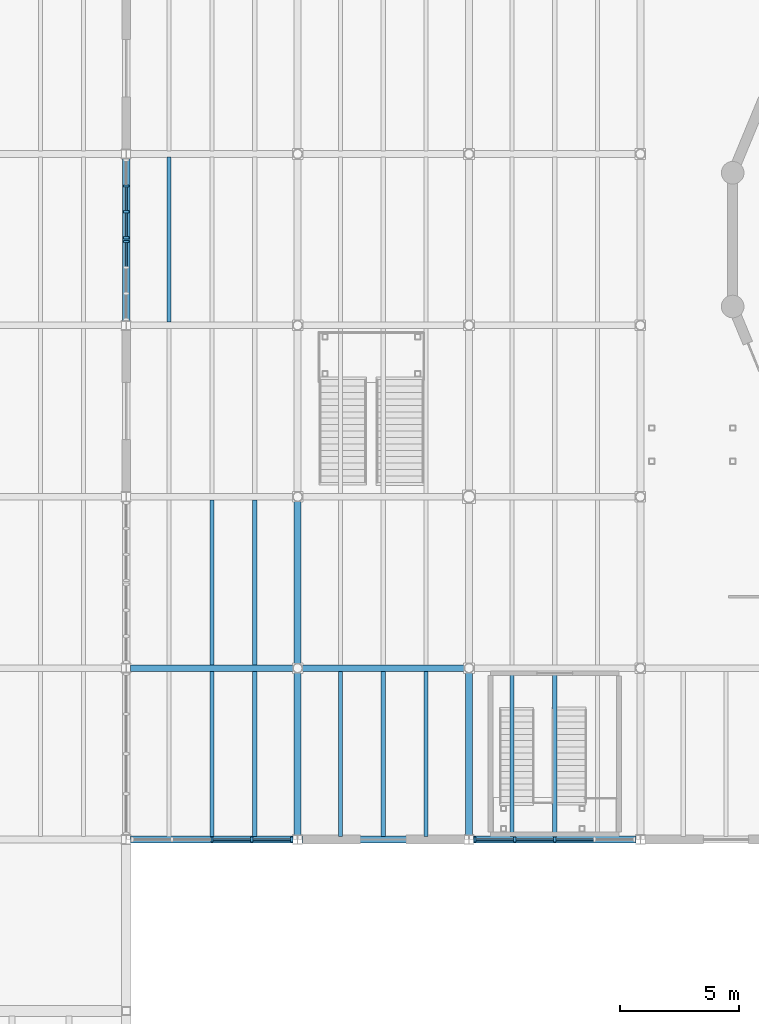
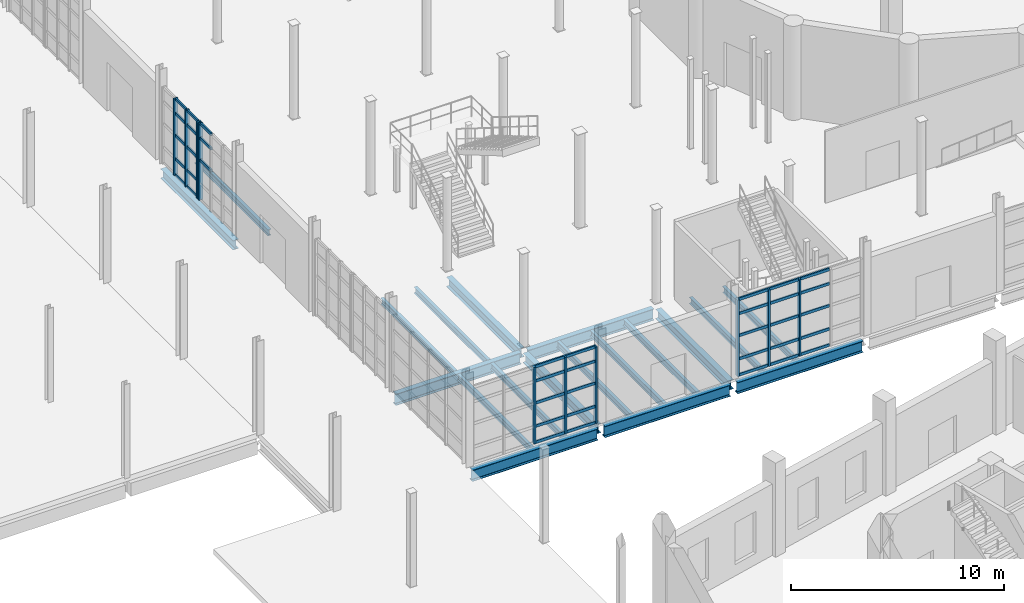
# One storey, part 22 of 79: 48 members, 19 beams, 4 elements without a shape of their own.
"""IFC4 building model written with IfcOpenShell, lengths in metres."""

from ifc_helpers import new_model, si_unit, direction, frame, origin, origin_2d, place, context, subcontext, project, spatial, rectangle, i_section, extrude, material, material_profile, profile_set, type_object, element, aggregate, save


model = new_model("IFC4")

# Units and contexts
model_context = context("Model", 3, precision=1e-05, world=origin(), true_north=direction((0.0, 1.0)))
body_context = subcontext(model_context, "Body", "Model", "MODEL_VIEW")
ifc_project = project(units=[si_unit("LENGTHUNIT", "METRE"), si_unit("AREAUNIT", "SQUARE_METRE"), si_unit("VOLUMEUNIT", "CUBIC_METRE"), si_unit("PLANEANGLEUNIT", "RADIAN"), si_unit("MASSUNIT", "GRAM", prefix="KILO")], contexts=[model_context])

# Site, building, storey
site_placement = place(None, origin())
site = spatial("IfcSite", under=ifc_project, at=site_placement, CompositionType="ELEMENT")
building_placement = place(site_placement, origin())
building = spatial("IfcBuilding", under=site, at=building_placement, Name="Qiaolan Assembly House", CompositionType="ELEMENT")
storey_placement = place(building_placement, origin())
storey = spatial("IfcBuildingStorey", under=building, at=storey_placement, Name="L00", CompositionType="ELEMENT", Elevation=0.0)

# Beams
ifc_material_1 = material(Name="Steel Q355B", Category="steel")
ifc_material_profile_1 = material_profile(ifc_material_1, i_section(OverallWidth=0.300048828125, OverallDepth=0.5400390625, WebThickness=0.010986328125, FlangeThickness=0.01806640625, FilletRadius=0.02001953125, at=origin_2d()), Name="HM 540x300x11x18")
ifc_profile_set_1 = profile_set([ifc_material_profile_1], Name="Steel Q355B")
beam_type_1 = type_object("IfcBeamType", Name="BM-STL-HM540", PredefinedType="BEAM", material=ifc_profile_set_1)
beam_1_placement = place(storey_placement, frame((28.800048828125, 57.7900390625, -0.570068359375), z_axis=(0.0, 1.0, 0.0), x_axis=(-1.0, 0.0, 0.0)))
element("IfcBeam", 1, at=beam_1_placement, inside=storey, type_object=beam_type_1, Name="SB-12 beam BMY-HL-L00-01-03", PredefinedType="BEAM", context=body_context, shape_type="SweptSolid", body=[
    extrude(i_section(OverallWidth=0.300048828125, OverallDepth=0.5400390625, WebThickness=0.010986328125, FlangeThickness=0.01806640625, FilletRadius=0.02001953125, at=origin_2d()), origin(), (0.0, 0.0, 1.0), 6.820068359375),
])
beam_2_placement = place(storey_placement, frame((36.0, 36.18994140625, -0.570068359375), z_axis=(0.0, 1.0, 0.0), x_axis=(-1.0, 0.0, 0.0)))
element("IfcBeam", 2, at=beam_2_placement, inside=storey, type_object=beam_type_1, Name="SB-12 beam BMY-HL-L00-02-00", PredefinedType="BEAM", context=body_context, shape_type="SweptSolid", body=[
    extrude(i_section(OverallWidth=0.300048828125, OverallDepth=0.5400390625, WebThickness=0.010986328125, FlangeThickness=0.01806640625, FilletRadius=0.02001953125, at=origin_2d()), origin(), (0.0, 0.0, 1.0), 6.81689453125),
])
beam_3_placement = place(storey_placement, frame((36.0, 43.393310546875, -0.570068359375), z_axis=(0.0, 1.0, 0.0), x_axis=(-1.0, 0.0, 0.0)))
element("IfcBeam", 3, at=beam_3_placement, inside=storey, type_object=beam_type_1, Name="SB-12 beam BMY-HL-L00-02-01", PredefinedType="BEAM", context=body_context, shape_type="SweptSolid", body=[
    extrude(i_section(OverallWidth=0.300048828125, OverallDepth=0.5400390625, WebThickness=0.010986328125, FlangeThickness=0.01806640625, FilletRadius=0.02001953125, at=origin_2d()), origin(), (0.0, 0.0, 1.0), 6.8134765625),
])
beam_4_placement = place(storey_placement, frame((43.199951171875, 36.18994140625, -0.570068359375), z_axis=(0.0, 1.0, 0.0), x_axis=(-1.0, 0.0, 0.0)))
element("IfcBeam", 4, at=beam_4_placement, inside=storey, type_object=beam_type_1, Name="SB-12 beam BMY-HL-L00-03-00", PredefinedType="BEAM", context=body_context, shape_type="SweptSolid", body=[
    extrude(i_section(OverallWidth=0.300048828125, OverallDepth=0.5400390625, WebThickness=0.010986328125, FlangeThickness=0.01806640625, FilletRadius=0.02001953125, at=origin_2d()), origin(), (0.0, 0.0, 1.0), 6.81689453125),
])
ifc_material_profile_2 = material_profile(ifc_material_1, i_section(OverallWidth=0.280029296875, OverallDepth=0.64990234375, WebThickness=0.011962890625, FlangeThickness=0.02197265625, FilletRadius=0.02197265625, at=origin_2d()), Name="HN 650x280x12x22")
ifc_profile_set_2 = profile_set([ifc_material_profile_2], Name="Steel Q355B")
beam_type_2 = type_object("IfcBeamType", Name="BM-STL-HN650", PredefinedType="BEAM", material=ifc_profile_set_2)
for number, where, z_axis, x_axis, name in (
    (5, (28.989990234375, 36.0, -0.625), (1.0, 0.0, 0.0), (0.0, 1.0, 0.0), "SB-10 beam BMX-HL-L00-01-00"),
    (6, (36.18994140625, 36.0, -0.625), (1.0, 0.0, 0.0), (0.0, 1.0, 0.0), "SB-10 beam BMX-HL-L00-02-00"),
    (7, (43.389892578125, 36.0, -0.625), (1.0, 0.0, 0.0), (0.0, 1.0, 0.0), "SB-10 beam BMX-HL-L00-03-00"),
):
    element("IfcBeam", number, at=place(storey_placement, frame(where, z_axis=z_axis, x_axis=x_axis)), inside=storey, type_object=beam_type_2, Name=name, PredefinedType="BEAM", context=body_context, shape_type="SweptSolid", body=[
        extrude(i_section(OverallWidth=0.280029296875, OverallDepth=0.64990234375, WebThickness=0.011962890625, FlangeThickness=0.02197265625, FilletRadius=0.02197265625, at=origin_2d()), origin(), (0.0, 0.0, 1.0), 6.820068359375),
    ])
beam_5_placement = place(storey_placement, frame((28.989990234375, 43.199951171875, -0.625), z_axis=(1.0, 0.0, 0.0), x_axis=(0.0, 1.0, 0.0)))
element("IfcBeam", 8, at=beam_5_placement, inside=storey, type_object=beam_type_2, Name="SB-10 beam BMX-HL-L00-01-01", PredefinedType="BEAM", context=body_context, shape_type="SweptSolid", body=[
    extrude(i_section(OverallWidth=0.280029296875, OverallDepth=0.64990234375, WebThickness=0.011962890625, FlangeThickness=0.02197265625, FilletRadius=0.02197265625, at=origin_2d()), origin(), (0.0, 0.0, 1.0), 6.81689453125),
])
beam_6_placement = place(storey_placement, frame((36.193115234375, 43.199951171875, -0.625), z_axis=(1.0, 0.0, 0.0), x_axis=(0.0, 1.0, 0.0)))
element("IfcBeam", 9, at=beam_6_placement, inside=storey, type_object=beam_type_2, Name="SB-10 beam BMX-HL-L00-02-01", PredefinedType="BEAM", context=body_context, shape_type="SweptSolid", body=[
    extrude(i_section(OverallWidth=0.280029296875, OverallDepth=0.64990234375, WebThickness=0.011962890625, FlangeThickness=0.02197265625, FilletRadius=0.02197265625, at=origin_2d()), origin(), (0.0, 0.0, 1.0), 6.813720703125),
])

# Curtain wall, member
ifc_material_2 = material(Name="Anodised bronze aluminium", Category="aluminium")
curtain_wall_type = type_object("IfcCurtainWallType", Name="CW-HALL-MAIN-540", PredefinedType="NOTDEFINED", material=ifc_material_2)
curtain_wall_1_placement = place(storey_placement, origin())
curtain_wall_1 = element("IfcCurtainWall", 10, at=curtain_wall_1_placement, inside=storey, type_object=curtain_wall_type, Name="CW-01 Hall West facade L00-3A", PredefinedType="NOTDEFINED")
ifc_material_profile_3 = material_profile(ifc_material_2, rectangle(XDim=0.092041015625, YDim=0.219970703125, at=origin_2d()), Name="MUL 92x220")
ifc_profile_set_3 = profile_set([ifc_material_profile_3], Name="Anodised bronze aluminium")
member_type_1 = type_object("IfcMemberType", Name="CW-HALL-MAIN-540-MUL", PredefinedType="MULLION", material=ifc_profile_set_3)
member_1_placement = place(storey_placement, frame((28.800048828125, 61.1201171875, 0.0), z_axis=(0.0, 0.0, 1.0), x_axis=(0.0, 1.0, 0.0)))
member_1 = element("IfcMember", 11, at=member_1_placement, type_object=member_type_1, Name="ML-01 mullion CW-HALL-W-L00-3A-4", PredefinedType="MULLION", context=body_context, shape_type="SweptSolid", body=[
    extrude(rectangle(XDim=0.092041015625, YDim=0.219970703125, at=origin_2d()), origin(), (0.0, 0.0, 1.0), 4.39990234375),
])

# Curtain wall, members
curtain_wall_2_placement = place(storey_placement, origin())
curtain_wall_2 = element("IfcCurtainWall", 12, at=curtain_wall_2_placement, inside=storey, type_object=curtain_wall_type, Name="CW-01 Hall West facade L00-3B", PredefinedType="NOTDEFINED")
member_2_placement = place(storey_placement, frame((28.800048828125, 61.280029296875, 0.0), z_axis=(0.0, 0.0, 1.0), x_axis=(0.0, 1.0, 0.0)))
member_2 = element("IfcMember", 13, at=member_2_placement, type_object=member_type_1, Name="ML-01 mullion CW-HALL-W-L00-3B-1", PredefinedType="MULLION", context=body_context, shape_type="SweptSolid", body=[
    extrude(rectangle(XDim=0.092041015625, YDim=0.219970703125, at=origin_2d()), origin(), (0.0, 0.0, 1.0), 4.39990234375),
])
member_3_placement = place(storey_placement, frame((28.800048828125, 62.3701171875, 0.0), z_axis=(0.0, 0.0, 1.0), x_axis=(0.0, 1.0, 0.0)))
member_3 = element("IfcMember", 14, at=member_3_placement, type_object=member_type_1, Name="ML-01 mullion CW-HALL-W-L00-3B-2", PredefinedType="MULLION", context=body_context, shape_type="SweptSolid", body=[
    extrude(rectangle(XDim=0.092041015625, YDim=0.219970703125, at=origin_2d()), origin(), (0.0, 0.0, 1.0), 4.39990234375),
])
member_4_placement = place(storey_placement, frame((28.800048828125, 63.4599609375, 0.0), z_axis=(0.0, 0.0, 1.0), x_axis=(0.0, 1.0, 0.0)))
member_4 = element("IfcMember", 15, at=member_4_placement, type_object=member_type_1, Name="ML-01 mullion CW-HALL-W-L00-3B-3", PredefinedType="MULLION", context=body_context, shape_type="SweptSolid", body=[
    extrude(rectangle(XDim=0.092041015625, YDim=0.219970703125, at=origin_2d()), origin(), (0.0, 0.0, 1.0), 4.39990234375),
])

curtain_wall_3_placement = place(storey_placement, origin())
curtain_wall_3 = element("IfcCurtainWall", 16, at=curtain_wall_3_placement, inside=storey, type_object=curtain_wall_type, Name="CW-01 Hall South plaza curtain wall L00-1", PredefinedType="NOTDEFINED")
member_5_placement = place(storey_placement, frame((32.39990234375, 36.0, 0.0), z_axis=(0.0, 0.0, 1.0), x_axis=(1.0, 0.0, 0.0)))
member_5 = element("IfcMember", 17, at=member_5_placement, type_object=member_type_1, Name="ML-01 mullion CW-HALL-S-L00-00-3", PredefinedType="MULLION", context=body_context, shape_type="SweptSolid", body=[
    extrude(rectangle(XDim=0.092041015625, YDim=0.219970703125, at=origin_2d()), origin(), (0.0, 0.0, 1.0), 4.39990234375),
])
member_6_placement = place(storey_placement, frame((34.074951171875, 36.0, 0.0), z_axis=(0.0, 0.0, 1.0), x_axis=(1.0, 0.0, 0.0)))
member_6 = element("IfcMember", 18, at=member_6_placement, type_object=member_type_1, Name="ML-01 mullion CW-HALL-S-L00-00-4", PredefinedType="MULLION", context=body_context, shape_type="SweptSolid", body=[
    extrude(rectangle(XDim=0.092041015625, YDim=0.219970703125, at=origin_2d()), origin(), (0.0, 0.0, 1.0), 4.39990234375),
])
member_7_placement = place(storey_placement, frame((35.75, 36.0, 0.0), z_axis=(0.0, 0.0, 1.0), x_axis=(1.0, 0.0, 0.0)))
member_7 = element("IfcMember", 19, at=member_7_placement, type_object=member_type_1, Name="ML-01 mullion CW-HALL-S-L00-00-5", PredefinedType="MULLION", context=body_context, shape_type="SweptSolid", body=[
    extrude(rectangle(XDim=0.092041015625, YDim=0.219970703125, at=origin_2d()), origin(), (0.0, 0.0, 1.0), 4.39990234375),
])

curtain_wall_4_placement = place(storey_placement, origin())
curtain_wall_4 = element("IfcCurtainWall", 20, at=curtain_wall_4_placement, inside=storey, type_object=curtain_wall_type, Name="CW-01 Hall South plaza curtain wall L00-3", PredefinedType="NOTDEFINED")
member_8_placement = place(storey_placement, frame((43.449951171875, 36.0, 0.0), z_axis=(0.0, 0.0, 1.0), x_axis=(1.0, 0.0, 0.0)))
member_8 = element("IfcMember", 21, at=member_8_placement, type_object=member_type_1, Name="ML-01 mullion CW-HALL-S-L00-02-1", PredefinedType="MULLION", context=body_context, shape_type="SweptSolid", body=[
    extrude(rectangle(XDim=0.092041015625, YDim=0.219970703125, at=origin_2d()), origin(), (0.0, 0.0, 1.0), 4.39990234375),
])
member_9_placement = place(storey_placement, frame((45.125, 36.0, 0.0), z_axis=(0.0, 0.0, 1.0), x_axis=(1.0, 0.0, 0.0)))
member_9 = element("IfcMember", 22, at=member_9_placement, type_object=member_type_1, Name="ML-01 mullion CW-HALL-S-L00-02-2", PredefinedType="MULLION", context=body_context, shape_type="SweptSolid", body=[
    extrude(rectangle(XDim=0.092041015625, YDim=0.219970703125, at=origin_2d()), origin(), (0.0, 0.0, 1.0), 4.39990234375),
])
member_10_placement = place(storey_placement, frame((46.800048828125, 36.0, 0.0), z_axis=(0.0, 0.0, 1.0), x_axis=(1.0, 0.0, 0.0)))
member_10 = element("IfcMember", 23, at=member_10_placement, type_object=member_type_1, Name="ML-01 mullion CW-HALL-S-L00-02-3", PredefinedType="MULLION", context=body_context, shape_type="SweptSolid", body=[
    extrude(rectangle(XDim=0.092041015625, YDim=0.219970703125, at=origin_2d()), origin(), (0.0, 0.0, 1.0), 4.39990234375),
])

# Member
ifc_material_profile_4 = material_profile(ifc_material_2, rectangle(XDim=0.08203125, YDim=0.159912109375, at=origin_2d()), Name="TRN 82x160")
ifc_profile_set_4 = profile_set([ifc_material_profile_4], Name="Anodised bronze aluminium")
member_type_2 = type_object("IfcMemberType", Name="CW-HALL-MAIN-540-TRN", PredefinedType="USERDEFINED", material=ifc_profile_set_4)
member_11_placement = place(storey_placement, frame((28.800048828125, 60.075927734375, 2.2880859375), z_axis=(0.0, 1.0, 0.0), x_axis=(-1.0, 0.0, 0.0)))
member_11 = element("IfcMember", 24, at=member_11_placement, type_object=member_type_2, Name="TR-01 transom CW-HALL-W-L00-3A-3-3", ObjectType="TRANSOM", PredefinedType="USERDEFINED", context=body_context, shape_type="SweptSolid", body=[
    extrude(rectangle(XDim=0.08203125, YDim=0.159912109375, at=origin_2d()), origin(), (0.0, 0.0, 1.0), 0.998046875),
])

member_12_placement = place(storey_placement, frame((28.800048828125, 60.075927734375, 3.550048828125), z_axis=(0.0, 1.0, 0.0), x_axis=(-1.0, 0.0, 0.0)))
member_12 = element("IfcMember", 25, at=member_12_placement, type_object=member_type_2, Name="TR-01 transom CW-HALL-W-L00-3A-3-4", ObjectType="TRANSOM", PredefinedType="USERDEFINED", context=body_context, shape_type="SweptSolid", body=[
    extrude(rectangle(XDim=0.08203125, YDim=0.159912109375, at=origin_2d()), origin(), (0.0, 0.0, 1.0), 0.998046875),
])

member_13_placement = place(storey_placement, frame((28.800048828125, 60.075927734375, 4.3701171875), z_axis=(0.0, 1.0, 0.0), x_axis=(-1.0, 0.0, 0.0)))
member_13 = element("IfcMember", 26, at=member_13_placement, type_object=member_type_2, Name="TR-01 transom CW-HALL-W-L00-3A-3-5", ObjectType="TRANSOM", PredefinedType="USERDEFINED", context=body_context, shape_type="SweptSolid", body=[
    extrude(rectangle(XDim=0.08203125, YDim=0.159912109375, at=origin_2d()), origin(), (0.0, 0.0, 1.0), 0.998046875),
])

aggregate(curtain_wall_1, [member_1, member_11, member_12, member_13])

member_14_placement = place(storey_placement, frame((28.800048828125, 61.325927734375, 0.030029296875), z_axis=(0.0, 1.0, 0.0), x_axis=(-1.0, 0.0, 0.0)))
member_14 = element("IfcMember", 27, at=member_14_placement, type_object=member_type_2, Name="TR-01 transom CW-HALL-W-L00-3B-1-1", ObjectType="TRANSOM", PredefinedType="USERDEFINED", context=body_context, shape_type="SweptSolid", body=[
    extrude(rectangle(XDim=0.08203125, YDim=0.159912109375, at=origin_2d()), origin(), (0.0, 0.0, 1.0), 0.998046875),
])

member_15_placement = place(storey_placement, frame((28.800048828125, 61.325927734375, 0.949951171875), z_axis=(0.0, 1.0, 0.0), x_axis=(-1.0, 0.0, 0.0)))
member_15 = element("IfcMember", 28, at=member_15_placement, type_object=member_type_2, Name="TR-01 transom CW-HALL-W-L00-3B-1-2", ObjectType="TRANSOM", PredefinedType="USERDEFINED", context=body_context, shape_type="SweptSolid", body=[
    extrude(rectangle(XDim=0.08203125, YDim=0.159912109375, at=origin_2d()), origin(), (0.0, 0.0, 1.0), 0.998046875),
])

member_16_placement = place(storey_placement, frame((28.800048828125, 61.325927734375, 2.2880859375), z_axis=(0.0, 1.0, 0.0), x_axis=(-1.0, 0.0, 0.0)))
member_16 = element("IfcMember", 29, at=member_16_placement, type_object=member_type_2, Name="TR-01 transom CW-HALL-W-L00-3B-1-3", ObjectType="TRANSOM", PredefinedType="USERDEFINED", context=body_context, shape_type="SweptSolid", body=[
    extrude(rectangle(XDim=0.08203125, YDim=0.159912109375, at=origin_2d()), origin(), (0.0, 0.0, 1.0), 0.998046875),
])

member_17_placement = place(storey_placement, frame((28.800048828125, 61.325927734375, 3.550048828125), z_axis=(0.0, 1.0, 0.0), x_axis=(-1.0, 0.0, 0.0)))
member_17 = element("IfcMember", 30, at=member_17_placement, type_object=member_type_2, Name="TR-01 transom CW-HALL-W-L00-3B-1-4", ObjectType="TRANSOM", PredefinedType="USERDEFINED", context=body_context, shape_type="SweptSolid", body=[
    extrude(rectangle(XDim=0.08203125, YDim=0.159912109375, at=origin_2d()), origin(), (0.0, 0.0, 1.0), 0.998046875),
])

member_18_placement = place(storey_placement, frame((28.800048828125, 61.325927734375, 4.3701171875), z_axis=(0.0, 1.0, 0.0), x_axis=(-1.0, 0.0, 0.0)))
member_18 = element("IfcMember", 31, at=member_18_placement, type_object=member_type_2, Name="TR-01 transom CW-HALL-W-L00-3B-1-5", ObjectType="TRANSOM", PredefinedType="USERDEFINED", context=body_context, shape_type="SweptSolid", body=[
    extrude(rectangle(XDim=0.08203125, YDim=0.159912109375, at=origin_2d()), origin(), (0.0, 0.0, 1.0), 0.998046875),
])

member_19_placement = place(storey_placement, frame((28.800048828125, 62.416015625, 0.030029296875), z_axis=(0.0, 1.0, 0.0), x_axis=(-1.0, 0.0, 0.0)))
member_19 = element("IfcMember", 32, at=member_19_placement, type_object=member_type_2, Name="TR-01 transom CW-HALL-W-L00-3B-2-1", ObjectType="TRANSOM", PredefinedType="USERDEFINED", context=body_context, shape_type="SweptSolid", body=[
    extrude(rectangle(XDim=0.08203125, YDim=0.159912109375, at=origin_2d()), origin(), (0.0, 0.0, 1.0), 0.998046875),
])

member_20_placement = place(storey_placement, frame((28.800048828125, 62.416015625, 0.949951171875), z_axis=(0.0, 1.0, 0.0), x_axis=(-1.0, 0.0, 0.0)))
member_20 = element("IfcMember", 33, at=member_20_placement, type_object=member_type_2, Name="TR-01 transom CW-HALL-W-L00-3B-2-2", ObjectType="TRANSOM", PredefinedType="USERDEFINED", context=body_context, shape_type="SweptSolid", body=[
    extrude(rectangle(XDim=0.08203125, YDim=0.159912109375, at=origin_2d()), origin(), (0.0, 0.0, 1.0), 0.998046875),
])

member_21_placement = place(storey_placement, frame((28.800048828125, 62.416015625, 2.2880859375), z_axis=(0.0, 1.0, 0.0), x_axis=(-1.0, 0.0, 0.0)))
member_21 = element("IfcMember", 34, at=member_21_placement, type_object=member_type_2, Name="TR-01 transom CW-HALL-W-L00-3B-2-3", ObjectType="TRANSOM", PredefinedType="USERDEFINED", context=body_context, shape_type="SweptSolid", body=[
    extrude(rectangle(XDim=0.08203125, YDim=0.159912109375, at=origin_2d()), origin(), (0.0, 0.0, 1.0), 0.998046875),
])

member_22_placement = place(storey_placement, frame((28.800048828125, 62.416015625, 3.550048828125), z_axis=(0.0, 1.0, 0.0), x_axis=(-1.0, 0.0, 0.0)))
member_22 = element("IfcMember", 35, at=member_22_placement, type_object=member_type_2, Name="TR-01 transom CW-HALL-W-L00-3B-2-4", ObjectType="TRANSOM", PredefinedType="USERDEFINED", context=body_context, shape_type="SweptSolid", body=[
    extrude(rectangle(XDim=0.08203125, YDim=0.159912109375, at=origin_2d()), origin(), (0.0, 0.0, 1.0), 0.998046875),
])

member_23_placement = place(storey_placement, frame((28.800048828125, 62.416015625, 4.3701171875), z_axis=(0.0, 1.0, 0.0), x_axis=(-1.0, 0.0, 0.0)))
member_23 = element("IfcMember", 36, at=member_23_placement, type_object=member_type_2, Name="TR-01 transom CW-HALL-W-L00-3B-2-5", ObjectType="TRANSOM", PredefinedType="USERDEFINED", context=body_context, shape_type="SweptSolid", body=[
    extrude(rectangle(XDim=0.08203125, YDim=0.159912109375, at=origin_2d()), origin(), (0.0, 0.0, 1.0), 0.998046875),
])

aggregate(curtain_wall_2, [member_2, member_3, member_4, member_14, member_15, member_16, member_17, member_18, member_19, member_20, member_21, member_22, member_23])

member_24_placement = place(storey_placement, frame((32.446044921875, 36.0, 0.030029296875), z_axis=(1.0, 0.0, 0.0), x_axis=(0.0, 1.0, 0.0)))
member_24 = element("IfcMember", 37, at=member_24_placement, type_object=member_type_2, Name="TR-01 transom CW-HALL-S-L00-00-3-1", ObjectType="TRANSOM", PredefinedType="USERDEFINED", context=body_context, shape_type="SweptSolid", body=[
    extrude(rectangle(XDim=0.08203125, YDim=0.159912109375, at=origin_2d()), origin(), (0.0, 0.0, 1.0), 1.5830078125),
])

member_25_placement = place(storey_placement, frame((32.446044921875, 36.0, 0.949951171875), z_axis=(1.0, 0.0, 0.0), x_axis=(0.0, 1.0, 0.0)))
member_25 = element("IfcMember", 38, at=member_25_placement, type_object=member_type_2, Name="TR-01 transom CW-HALL-S-L00-00-3-2", ObjectType="TRANSOM", PredefinedType="USERDEFINED", context=body_context, shape_type="SweptSolid", body=[
    extrude(rectangle(XDim=0.08203125, YDim=0.159912109375, at=origin_2d()), origin(), (0.0, 0.0, 1.0), 1.5830078125),
])

member_26_placement = place(storey_placement, frame((32.446044921875, 36.0, 2.2880859375), z_axis=(1.0, 0.0, 0.0), x_axis=(0.0, 1.0, 0.0)))
member_26 = element("IfcMember", 39, at=member_26_placement, type_object=member_type_2, Name="TR-01 transom CW-HALL-S-L00-00-3-3", ObjectType="TRANSOM", PredefinedType="USERDEFINED", context=body_context, shape_type="SweptSolid", body=[
    extrude(rectangle(XDim=0.08203125, YDim=0.159912109375, at=origin_2d()), origin(), (0.0, 0.0, 1.0), 1.5830078125),
])

member_27_placement = place(storey_placement, frame((32.446044921875, 36.0, 3.550048828125), z_axis=(1.0, 0.0, 0.0), x_axis=(0.0, 1.0, 0.0)))
member_27 = element("IfcMember", 40, at=member_27_placement, type_object=member_type_2, Name="TR-01 transom CW-HALL-S-L00-00-3-4", ObjectType="TRANSOM", PredefinedType="USERDEFINED", context=body_context, shape_type="SweptSolid", body=[
    extrude(rectangle(XDim=0.08203125, YDim=0.159912109375, at=origin_2d()), origin(), (0.0, 0.0, 1.0), 1.5830078125),
])

member_28_placement = place(storey_placement, frame((32.446044921875, 36.0, 4.3701171875), z_axis=(1.0, 0.0, 0.0), x_axis=(0.0, 1.0, 0.0)))
member_28 = element("IfcMember", 41, at=member_28_placement, type_object=member_type_2, Name="TR-01 transom CW-HALL-S-L00-00-3-5", ObjectType="TRANSOM", PredefinedType="USERDEFINED", context=body_context, shape_type="SweptSolid", body=[
    extrude(rectangle(XDim=0.08203125, YDim=0.159912109375, at=origin_2d()), origin(), (0.0, 0.0, 1.0), 1.5830078125),
])

member_29_placement = place(storey_placement, frame((34.12109375, 36.0, 0.030029296875), z_axis=(1.0, 0.0, 0.0), x_axis=(0.0, 1.0, 0.0)))
member_29 = element("IfcMember", 42, at=member_29_placement, type_object=member_type_2, Name="TR-01 transom CW-HALL-S-L00-00-4-1", ObjectType="TRANSOM", PredefinedType="USERDEFINED", context=body_context, shape_type="SweptSolid", body=[
    extrude(rectangle(XDim=0.08203125, YDim=0.159912109375, at=origin_2d()), origin(), (0.0, 0.0, 1.0), 1.5830078125),
])

member_30_placement = place(storey_placement, frame((34.12109375, 36.0, 0.949951171875), z_axis=(1.0, 0.0, 0.0), x_axis=(0.0, 1.0, 0.0)))
member_30 = element("IfcMember", 43, at=member_30_placement, type_object=member_type_2, Name="TR-01 transom CW-HALL-S-L00-00-4-2", ObjectType="TRANSOM", PredefinedType="USERDEFINED", context=body_context, shape_type="SweptSolid", body=[
    extrude(rectangle(XDim=0.08203125, YDim=0.159912109375, at=origin_2d()), origin(), (0.0, 0.0, 1.0), 1.5830078125),
])

member_31_placement = place(storey_placement, frame((34.12109375, 36.0, 2.2880859375), z_axis=(1.0, 0.0, 0.0), x_axis=(0.0, 1.0, 0.0)))
member_31 = element("IfcMember", 44, at=member_31_placement, type_object=member_type_2, Name="TR-01 transom CW-HALL-S-L00-00-4-3", ObjectType="TRANSOM", PredefinedType="USERDEFINED", context=body_context, shape_type="SweptSolid", body=[
    extrude(rectangle(XDim=0.08203125, YDim=0.159912109375, at=origin_2d()), origin(), (0.0, 0.0, 1.0), 1.5830078125),
])

member_32_placement = place(storey_placement, frame((34.12109375, 36.0, 3.550048828125), z_axis=(1.0, 0.0, 0.0), x_axis=(0.0, 1.0, 0.0)))
member_32 = element("IfcMember", 45, at=member_32_placement, type_object=member_type_2, Name="TR-01 transom CW-HALL-S-L00-00-4-4", ObjectType="TRANSOM", PredefinedType="USERDEFINED", context=body_context, shape_type="SweptSolid", body=[
    extrude(rectangle(XDim=0.08203125, YDim=0.159912109375, at=origin_2d()), origin(), (0.0, 0.0, 1.0), 1.5830078125),
])

member_33_placement = place(storey_placement, frame((34.12109375, 36.0, 4.3701171875), z_axis=(1.0, 0.0, 0.0), x_axis=(0.0, 1.0, 0.0)))
member_33 = element("IfcMember", 46, at=member_33_placement, type_object=member_type_2, Name="TR-01 transom CW-HALL-S-L00-00-4-5", ObjectType="TRANSOM", PredefinedType="USERDEFINED", context=body_context, shape_type="SweptSolid", body=[
    extrude(rectangle(XDim=0.08203125, YDim=0.159912109375, at=origin_2d()), origin(), (0.0, 0.0, 1.0), 1.5830078125),
])

aggregate(curtain_wall_3, [member_5, member_6, member_7, member_24, member_25, member_26, member_27, member_28, member_29, member_30, member_31, member_32, member_33])

member_34_placement = place(storey_placement, frame((43.49609375, 36.0, 0.030029296875), z_axis=(1.0, 0.0, 0.0), x_axis=(0.0, 1.0, 0.0)))
member_34 = element("IfcMember", 47, at=member_34_placement, type_object=member_type_2, Name="TR-01 transom CW-HALL-S-L00-02-1-1", ObjectType="TRANSOM", PredefinedType="USERDEFINED", context=body_context, shape_type="SweptSolid", body=[
    extrude(rectangle(XDim=0.08203125, YDim=0.159912109375, at=origin_2d()), origin(), (0.0, 0.0, 1.0), 1.5830078125),
])

member_35_placement = place(storey_placement, frame((43.49609375, 36.0, 0.949951171875), z_axis=(1.0, 0.0, 0.0), x_axis=(0.0, 1.0, 0.0)))
member_35 = element("IfcMember", 48, at=member_35_placement, type_object=member_type_2, Name="TR-01 transom CW-HALL-S-L00-02-1-2", ObjectType="TRANSOM", PredefinedType="USERDEFINED", context=body_context, shape_type="SweptSolid", body=[
    extrude(rectangle(XDim=0.08203125, YDim=0.159912109375, at=origin_2d()), origin(), (0.0, 0.0, 1.0), 1.5830078125),
])

member_36_placement = place(storey_placement, frame((43.49609375, 36.0, 2.2880859375), z_axis=(1.0, 0.0, 0.0), x_axis=(0.0, 1.0, 0.0)))
member_36 = element("IfcMember", 49, at=member_36_placement, type_object=member_type_2, Name="TR-01 transom CW-HALL-S-L00-02-1-3", ObjectType="TRANSOM", PredefinedType="USERDEFINED", context=body_context, shape_type="SweptSolid", body=[
    extrude(rectangle(XDim=0.08203125, YDim=0.159912109375, at=origin_2d()), origin(), (0.0, 0.0, 1.0), 1.5830078125),
])

member_37_placement = place(storey_placement, frame((43.49609375, 36.0, 3.550048828125), z_axis=(1.0, 0.0, 0.0), x_axis=(0.0, 1.0, 0.0)))
member_37 = element("IfcMember", 50, at=member_37_placement, type_object=member_type_2, Name="TR-01 transom CW-HALL-S-L00-02-1-4", ObjectType="TRANSOM", PredefinedType="USERDEFINED", context=body_context, shape_type="SweptSolid", body=[
    extrude(rectangle(XDim=0.08203125, YDim=0.159912109375, at=origin_2d()), origin(), (0.0, 0.0, 1.0), 1.5830078125),
])

member_38_placement = place(storey_placement, frame((43.49609375, 36.0, 4.3701171875), z_axis=(1.0, 0.0, 0.0), x_axis=(0.0, 1.0, 0.0)))
member_38 = element("IfcMember", 51, at=member_38_placement, type_object=member_type_2, Name="TR-01 transom CW-HALL-S-L00-02-1-5", ObjectType="TRANSOM", PredefinedType="USERDEFINED", context=body_context, shape_type="SweptSolid", body=[
    extrude(rectangle(XDim=0.08203125, YDim=0.159912109375, at=origin_2d()), origin(), (0.0, 0.0, 1.0), 1.5830078125),
])

member_39_placement = place(storey_placement, frame((45.1708984375, 36.0, 0.030029296875), z_axis=(1.0, 0.0, 0.0), x_axis=(0.0, 1.0, 0.0)))
member_39 = element("IfcMember", 52, at=member_39_placement, type_object=member_type_2, Name="TR-01 transom CW-HALL-S-L00-02-2-1", ObjectType="TRANSOM", PredefinedType="USERDEFINED", context=body_context, shape_type="SweptSolid", body=[
    extrude(rectangle(XDim=0.08203125, YDim=0.159912109375, at=origin_2d()), origin(), (0.0, 0.0, 1.0), 1.5830078125),
])

member_40_placement = place(storey_placement, frame((45.1708984375, 36.0, 0.949951171875), z_axis=(1.0, 0.0, 0.0), x_axis=(0.0, 1.0, 0.0)))
member_40 = element("IfcMember", 53, at=member_40_placement, type_object=member_type_2, Name="TR-01 transom CW-HALL-S-L00-02-2-2", ObjectType="TRANSOM", PredefinedType="USERDEFINED", context=body_context, shape_type="SweptSolid", body=[
    extrude(rectangle(XDim=0.08203125, YDim=0.159912109375, at=origin_2d()), origin(), (0.0, 0.0, 1.0), 1.5830078125),
])

member_41_placement = place(storey_placement, frame((45.1708984375, 36.0, 2.2880859375), z_axis=(1.0, 0.0, 0.0), x_axis=(0.0, 1.0, 0.0)))
member_41 = element("IfcMember", 54, at=member_41_placement, type_object=member_type_2, Name="TR-01 transom CW-HALL-S-L00-02-2-3", ObjectType="TRANSOM", PredefinedType="USERDEFINED", context=body_context, shape_type="SweptSolid", body=[
    extrude(rectangle(XDim=0.08203125, YDim=0.159912109375, at=origin_2d()), origin(), (0.0, 0.0, 1.0), 1.5830078125),
])

member_42_placement = place(storey_placement, frame((45.1708984375, 36.0, 3.550048828125), z_axis=(1.0, 0.0, 0.0), x_axis=(0.0, 1.0, 0.0)))
member_42 = element("IfcMember", 55, at=member_42_placement, type_object=member_type_2, Name="TR-01 transom CW-HALL-S-L00-02-2-4", ObjectType="TRANSOM", PredefinedType="USERDEFINED", context=body_context, shape_type="SweptSolid", body=[
    extrude(rectangle(XDim=0.08203125, YDim=0.159912109375, at=origin_2d()), origin(), (0.0, 0.0, 1.0), 1.5830078125),
])

member_43_placement = place(storey_placement, frame((45.1708984375, 36.0, 4.3701171875), z_axis=(1.0, 0.0, 0.0), x_axis=(0.0, 1.0, 0.0)))
member_43 = element("IfcMember", 56, at=member_43_placement, type_object=member_type_2, Name="TR-01 transom CW-HALL-S-L00-02-2-5", ObjectType="TRANSOM", PredefinedType="USERDEFINED", context=body_context, shape_type="SweptSolid", body=[
    extrude(rectangle(XDim=0.08203125, YDim=0.159912109375, at=origin_2d()), origin(), (0.0, 0.0, 1.0), 1.5830078125),
])

member_44_placement = place(storey_placement, frame((46.845947265625, 36.0, 0.030029296875), z_axis=(1.0, 0.0, 0.0), x_axis=(0.0, 1.0, 0.0)))
member_44 = element("IfcMember", 57, at=member_44_placement, type_object=member_type_2, Name="TR-01 transom CW-HALL-S-L00-02-3-1", ObjectType="TRANSOM", PredefinedType="USERDEFINED", context=body_context, shape_type="SweptSolid", body=[
    extrude(rectangle(XDim=0.08203125, YDim=0.159912109375, at=origin_2d()), origin(), (0.0, 0.0, 1.0), 1.5830078125),
])

member_45_placement = place(storey_placement, frame((46.845947265625, 36.0, 0.949951171875), z_axis=(1.0, 0.0, 0.0), x_axis=(0.0, 1.0, 0.0)))
member_45 = element("IfcMember", 58, at=member_45_placement, type_object=member_type_2, Name="TR-01 transom CW-HALL-S-L00-02-3-2", ObjectType="TRANSOM", PredefinedType="USERDEFINED", context=body_context, shape_type="SweptSolid", body=[
    extrude(rectangle(XDim=0.08203125, YDim=0.159912109375, at=origin_2d()), origin(), (0.0, 0.0, 1.0), 1.5830078125),
])

member_46_placement = place(storey_placement, frame((46.845947265625, 36.0, 2.2880859375), z_axis=(1.0, 0.0, 0.0), x_axis=(0.0, 1.0, 0.0)))
member_46 = element("IfcMember", 59, at=member_46_placement, type_object=member_type_2, Name="TR-01 transom CW-HALL-S-L00-02-3-3", ObjectType="TRANSOM", PredefinedType="USERDEFINED", context=body_context, shape_type="SweptSolid", body=[
    extrude(rectangle(XDim=0.08203125, YDim=0.159912109375, at=origin_2d()), origin(), (0.0, 0.0, 1.0), 1.5830078125),
])

member_47_placement = place(storey_placement, frame((46.845947265625, 36.0, 3.550048828125), z_axis=(1.0, 0.0, 0.0), x_axis=(0.0, 1.0, 0.0)))
member_47 = element("IfcMember", 60, at=member_47_placement, type_object=member_type_2, Name="TR-01 transom CW-HALL-S-L00-02-3-4", ObjectType="TRANSOM", PredefinedType="USERDEFINED", context=body_context, shape_type="SweptSolid", body=[
    extrude(rectangle(XDim=0.08203125, YDim=0.159912109375, at=origin_2d()), origin(), (0.0, 0.0, 1.0), 1.5830078125),
])

member_48_placement = place(storey_placement, frame((46.845947265625, 36.0, 4.3701171875), z_axis=(1.0, 0.0, 0.0), x_axis=(0.0, 1.0, 0.0)))
member_48 = element("IfcMember", 61, at=member_48_placement, type_object=member_type_2, Name="TR-01 transom CW-HALL-S-L00-02-3-5", ObjectType="TRANSOM", PredefinedType="USERDEFINED", context=body_context, shape_type="SweptSolid", body=[
    extrude(rectangle(XDim=0.08203125, YDim=0.159912109375, at=origin_2d()), origin(), (0.0, 0.0, 1.0), 1.5830078125),
])

aggregate(curtain_wall_4, [member_8, member_9, member_10, member_34, member_35, member_36, member_37, member_38, member_39, member_40, member_41, member_42, member_43, member_44, member_45, member_46, member_47, member_48])

# Beams
ifc_material_profile_5 = material_profile(ifc_material_1, i_section(OverallWidth=0.175048828125, OverallDepth=0.35009765625, WebThickness=0.007080078125, FlangeThickness=0.010986328125, FilletRadius=0.013916015625, at=origin_2d()), Name="HN 350x175x7x11")
ifc_profile_set_5 = profile_set([ifc_material_profile_5], Name="Steel Q355B")
beam_type_3 = type_object("IfcBeamType", Name="JST-STL-HN350", PredefinedType="JOIST", material=ifc_profile_set_5)
for number, where, z_axis, x_axis, name in (
    (62, (32.39990234375, 36.134033203125, -0.47509765625), (0.0, 1.0, 0.0), (-1.0, 0.0, 0.0), "SJ-01 beam JST-HL-L00-01-00-2"),
    (63, (34.199951171875, 36.134033203125, -0.47509765625), (0.0, 1.0, 0.0), (-1.0, 0.0, 0.0), "SJ-01 beam JST-HL-L00-01-00-3"),
):
    element("IfcBeam", number, at=place(storey_placement, frame(where, z_axis=z_axis, x_axis=x_axis)), inside=storey, type_object=beam_type_3, Name=name, PredefinedType="JOIST", context=body_context, shape_type="SweptSolid", body=[
        extrude(i_section(OverallWidth=0.175048828125, OverallDepth=0.35009765625, WebThickness=0.007080078125, FlangeThickness=0.010986328125, FilletRadius=0.013916015625, at=origin_2d()), origin(), (0.0, 0.0, 1.0), 6.931884765625),
    ])
for number, where, z_axis, x_axis, name in (
    (64, (32.39990234375, 43.333984375, -0.47509765625), (0.0, 1.0, 0.0), (-1.0, 0.0, 0.0), "SJ-01 beam JST-HL-L00-01-01-2"),
    (65, (34.199951171875, 43.333984375, -0.47509765625), (0.0, 1.0, 0.0), (-1.0, 0.0, 0.0), "SJ-01 beam JST-HL-L00-01-01-3"),
    (66, (30.60009765625, 57.73388671875, -0.47509765625), (0.0, 1.0, 0.0), (-1.0, 0.0, 0.0), "SJ-01 beam JST-HL-L00-01-03-1"),
):
    element("IfcBeam", number, at=place(storey_placement, frame(where, z_axis=z_axis, x_axis=x_axis)), inside=storey, type_object=beam_type_3, Name=name, PredefinedType="JOIST", context=body_context, shape_type="SweptSolid", body=[
        extrude(i_section(OverallWidth=0.175048828125, OverallDepth=0.35009765625, WebThickness=0.007080078125, FlangeThickness=0.010986328125, FilletRadius=0.013916015625, at=origin_2d()), origin(), (0.0, 0.0, 1.0), 6.93212890625),
    ])
for number, where, z_axis, x_axis, name in (
    (67, (37.800048828125, 36.134033203125, -0.47509765625), (0.0, 1.0, 0.0), (-1.0, 0.0, 0.0), "SJ-01 beam JST-HL-L00-02-00-1"),
    (68, (39.60009765625, 36.134033203125, -0.47509765625), (0.0, 1.0, 0.0), (-1.0, 0.0, 0.0), "SJ-01 beam JST-HL-L00-02-00-2"),
    (69, (41.39990234375, 36.134033203125, -0.47509765625), (0.0, 1.0, 0.0), (-1.0, 0.0, 0.0), "SJ-01 beam JST-HL-L00-02-00-3"),
    (70, (45.0, 36.134033203125, -0.47509765625), (0.0, 1.0, 0.0), (-1.0, 0.0, 0.0), "SJ-01 beam JST-HL-L00-03-00-1"),
    (71, (46.800048828125, 36.134033203125, -0.47509765625), (0.0, 1.0, 0.0), (-1.0, 0.0, 0.0), "SJ-01 beam JST-HL-L00-03-00-2"),
):
    element("IfcBeam", number, at=place(storey_placement, frame(where, z_axis=z_axis, x_axis=x_axis)), inside=storey, type_object=beam_type_3, Name=name, PredefinedType="JOIST", context=body_context, shape_type="SweptSolid", body=[
        extrude(i_section(OverallWidth=0.175048828125, OverallDepth=0.35009765625, WebThickness=0.007080078125, FlangeThickness=0.010986328125, FilletRadius=0.013916015625, at=origin_2d()), origin(), (0.0, 0.0, 1.0), 6.931884765625),
    ])

save(model, "model.ifc")
